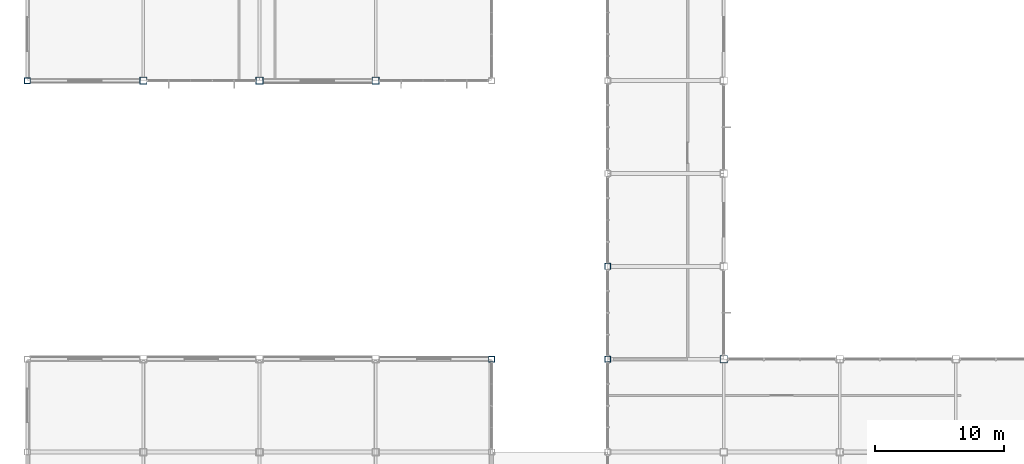
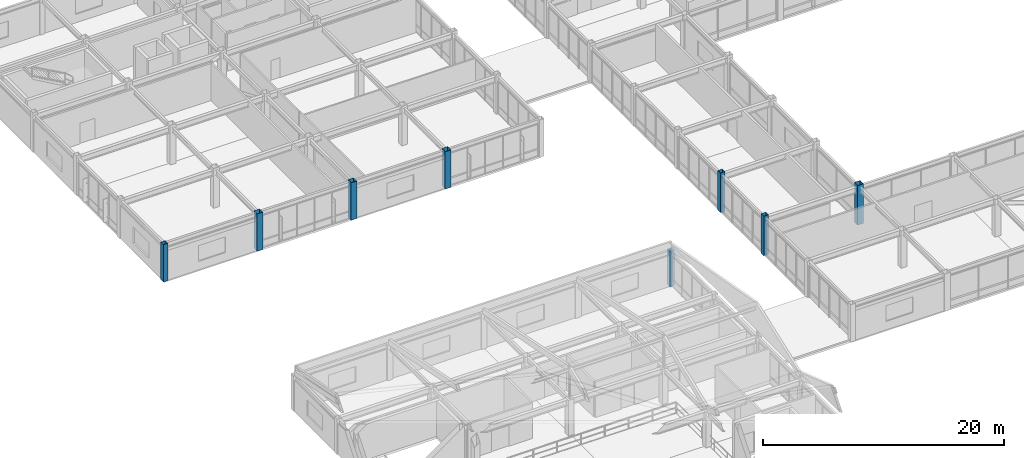
# One storey, part 3 of 113: 8 columns.
"""IFC4 building model written with IfcOpenShell, lengths in metres."""

import ifcopenshell
import ifcopenshell.guid

model = None  # the IFC model being written
_history = None  # IfcOwnerHistory: only IFC2X3 demands one
_inside = {}  # id of a spatial element -> (the spatial element, [elements in it])
_under = {}  # id of a project, library or spatial element -> (it, [spatial elements below it])
_declared = {}  # id of a project -> (the project, [libraries it declares])
_typed = {}  # id of a type object -> (the type object, [elements of that type])
_made_of = {}  # id of a material, layer set ... -> (it, [elements and type objects made of it])


def new_model(schema):
    """Start an empty IFC model of exactly this schema.

    Asked for "IFC4X3", IfcOpenShell would pick the latest addendum, in which some entities
    have other attributes; the version numbers below select the first issue.
    IFC2X3 requires an IfcOwnerHistory on every rooted entity: one is made here for all.
    """
    global model, _history
    if schema == "IFC4X3":
        model = ifcopenshell.file(schema_version=(4, 3, 0, 0))
    else:
        model = ifcopenshell.file(schema=schema)
    _inside.clear()
    _under.clear()
    _declared.clear()
    _typed.clear()
    _made_of.clear()
    _history = None
    if model.schema == "IFC2X3":
        org = make("IfcOrganization", Name="unknown")
        user = make(
            "IfcPersonAndOrganization",
            ThePerson=make("IfcPerson", FamilyName="unknown"),
            TheOrganization=org,
        )
        app = make(
            "IfcApplication",
            ApplicationDeveloper=org,
            Version="unknown",
            ApplicationFullName="unknown",
            ApplicationIdentifier="unknown",
        )
        _history = make(
            "IfcOwnerHistory",
            OwningUser=user,
            OwningApplication=app,
            ChangeAction="ADDED",
            CreationDate=0,
        )
    return model


def make(cls, **values):
    """One entity of the class cls with the attributes given. An attribute that is None is left unset."""
    return model.create_entity(
        cls, **{name: value for name, value in values.items() if value is not None}
    )


def rooted(cls, **values):
    """An entity with a GlobalId (a new one), such as an element, a storey or a relation."""
    return make(cls, GlobalId=ifcopenshell.guid.new(), OwnerHistory=_history, **values)


def si_unit(unit_type, name, prefix=None):
    """IfcSIUnit, for example si_unit("LENGTHUNIT", "METRE", prefix="MILLI")."""
    return make("IfcSIUnit", UnitType=unit_type, Prefix=prefix, Name=name)


def assignment(units):
    """IfcUnitAssignment: the units of a project."""
    return None if units is None else make("IfcUnitAssignment", Units=units)


def point(xyz):
    """IfcCartesianPoint."""
    return None if xyz is None else make("IfcCartesianPoint", Coordinates=xyz)


def direction(xyz):
    """IfcDirection."""
    return None if xyz is None else make("IfcDirection", DirectionRatios=xyz)


def frame(location, z_axis=None, x_axis=None):
    """IfcAxis2Placement3D, a coordinate frame: its origin and axes. An axis left out is left unset."""
    return make(
        "IfcAxis2Placement3D",
        Location=point(location),
        Axis=direction(z_axis),
        RefDirection=direction(x_axis),
    )


def frame_2d(location, x_axis=None):
    """IfcAxis2Placement2D, a coordinate frame in the plane: its origin and x axis."""
    return make(
        "IfcAxis2Placement2D", Location=point(location), RefDirection=direction(x_axis)
    )


def origin():
    """The frame at (0, 0, 0) with its axes left unset."""
    return frame((0.0, 0.0, 0.0))


def origin_2d():
    """The frame at (0, 0) in the plane with its x axis left unset."""
    return frame_2d((0.0, 0.0))


def place(relative_to, where):
    """IfcLocalPlacement: puts the frame where relative to a parent placement (None: the world)."""
    return make(
        "IfcLocalPlacement", PlacementRelTo=relative_to, RelativePlacement=where
    )


def context(
    kind, dimensions, precision=None, world=None, true_north=None, identifier=None
):
    """IfcGeometricRepresentationContext, for example the 3D "Model" context."""
    return make(
        "IfcGeometricRepresentationContext",
        ContextIdentifier=identifier,
        ContextType=kind,
        CoordinateSpaceDimension=dimensions,
        Precision=precision,
        WorldCoordinateSystem=world,
        TrueNorth=true_north,
    )


def subcontext(parent, identifier, kind, view, scale=None):
    """IfcGeometricRepresentationSubContext, for example "Body" below "Model"."""
    return make(
        "IfcGeometricRepresentationSubContext",
        ContextIdentifier=identifier,
        ContextType=kind,
        ParentContext=parent,
        TargetScale=scale,
        TargetView=view,
    )


def project(units=None, contexts=None):
    """IfcProject with its units and contexts."""
    return rooted(
        "IfcProject",
        Name="project",
        RepresentationContexts=contexts,
        UnitsInContext=assignment(units),
    )


def spatial(cls, under=None, at=None, **own):
    """A site, building, storey or space (cls), placed at a placement, below another one or the project."""
    s = rooted(cls, ObjectPlacement=at, **own)
    if under is not None:
        _under.setdefault(under.id(), (under, []))[1].append(s)
    return s


def profile(cls, at=None, kind="AREA", **sizes):
    """A parametric profile (cls). Its sizes go by their IFC names, for example OverallWidth=200.0."""
    return make(cls, ProfileType=kind, Position=at, **sizes)


def hollow_rectangle(**sizes):
    """IfcRectangleHollowProfileDef."""
    return profile("IfcRectangleHollowProfileDef", **sizes)


def extrude(swept, where, along, depth):
    """IfcExtrudedAreaSolid: the profile swept, set in the frame where, extruded along a direction by depth."""
    return make(
        "IfcExtrudedAreaSolid",
        SweptArea=swept,
        Position=where,
        ExtrudedDirection=direction(along),
        Depth=depth,
    )


def shape(context_of_items, identifier, shape_type, items):
    """IfcShapeRepresentation: the items that make up one representation, for example the "Body"."""
    return make(
        "IfcShapeRepresentation",
        ContextOfItems=context_of_items,
        RepresentationIdentifier=identifier,
        RepresentationType=shape_type,
        Items=items,
    )


def material(Name=None, Category=None):
    """IfcMaterial."""
    return make("IfcMaterial", Name=Name, Category=Category)


def material_profile(
    of_material, cross_section, Name=None, Category=None, Priority=None
):
    """IfcMaterialProfile: a cross section and its material."""
    return make(
        "IfcMaterialProfile",
        Name=Name,
        Material=of_material,
        Profile=cross_section,
        Priority=Priority,
        Category=Category,
    )


def profile_set(profiles, Name=None, composite=None):
    """IfcMaterialProfileSet."""
    return make(
        "IfcMaterialProfileSet",
        Name=Name,
        MaterialProfiles=profiles,
        CompositeProfile=composite,
    )


def made_of(thing, what):
    """Note that an element or type object is made of a material, layer set ...; save() writes the relation."""
    if what is not None:
        _made_of.setdefault(what.id(), (what, []))[1].append(thing)
    return thing


def type_object(cls, material=None, **own):
    """A type object (cls), such as IfcWallType, which elements share."""
    return made_of(rooted(cls, **own), material)


def element(
    cls,
    number,
    at=None,
    inside=None,
    cuts=None,
    type_object=None,
    material=None,
    context=None,
    identifier="Body",
    shape_type=None,
    held_by="IfcProductDefinitionShape",
    body=None,
    shapes=None,
    **own,
):
    """One element of the class cls, such as IfcWall. Its Tag is "e" and its number.

    at: its placement. inside: the storey or other place that contains it. cuts: it is an
    opening in that element (IfcRelVoidsElement). A single representation is given by context,
    identifier, shape_type and body (its items); several are given by shapes. held_by: the class
    of the entity that holds the representations. save() writes the other relations.
    """
    e = rooted(cls, Tag="e%d" % number, ObjectPlacement=at, **own)
    if body is not None:
        shapes = [shape(context, identifier, shape_type, body)]
    if shapes is not None:
        e.Representation = make(held_by, Representations=shapes)
    if inside is not None:
        _inside.setdefault(inside.id(), (inside, []))[1].append(e)
    if cuts is not None:
        rooted(
            "IfcRelVoidsElement", RelatingBuildingElement=cuts, RelatedOpeningElement=e
        )
    if type_object is not None:
        _typed.setdefault(type_object.id(), (type_object, []))[1].append(e)
    return made_of(e, material)


def aggregate(whole, parts):
    """IfcRelAggregates: a whole, such as a stair, and the parts it consists of."""
    return rooted("IfcRelAggregates", RelatingObject=whole, RelatedObjects=parts)


def save(model, path):
    """Write the relations noted so far, then the file.

    IfcRelAggregates (storeys below a building ...), IfcRelContainedInSpatialStructure (elements
    in a storey), IfcRelDefinesByType, IfcRelAssociatesMaterial and IfcRelDeclares: one each for
    every whole, place, type object, material and project.
    """
    for whole, parts in _under.values():
        aggregate(whole, parts)
    for where, things in _inside.values():
        rooted(
            "IfcRelContainedInSpatialStructure",
            RelatedElements=things,
            RelatingStructure=where,
        )
    for kind, things in _typed.values():
        rooted("IfcRelDefinesByType", RelatedObjects=things, RelatingType=kind)
    for what, things in _made_of.values():
        rooted("IfcRelAssociatesMaterial", RelatedObjects=things, RelatingMaterial=what)
    for by, libraries in _declared.values():
        rooted("IfcRelDeclares", RelatingContext=by, RelatedDefinitions=libraries)
    model.write(path)


model = new_model("IFC4")

# Units and contexts
model_context = context("Model", 3, precision=1e-05, world=origin(), true_north=direction((0.0, 1.0)))
body_context = subcontext(model_context, "Body", "Model", "MODEL_VIEW")
ifc_project = project(units=[si_unit("LENGTHUNIT", "METRE"), si_unit("AREAUNIT", "SQUARE_METRE"), si_unit("VOLUMEUNIT", "CUBIC_METRE"), si_unit("PLANEANGLEUNIT", "RADIAN"), si_unit("MASSUNIT", "GRAM", prefix="KILO")], contexts=[model_context])

# Site, building, storey
site_placement = place(None, origin())
site = spatial("IfcSite", under=ifc_project, at=site_placement, CompositionType="ELEMENT")
building_placement = place(site_placement, origin())
building = spatial("IfcBuilding", under=site, at=building_placement, Name="Kazanami Central Library", CompositionType="ELEMENT")
storey_placement = place(building_placement, frame((0.0, 0.0, 8.800048828125)))
storey = spatial("IfcBuildingStorey", under=building, at=storey_placement, Name="L03", CompositionType="ELEMENT", Elevation=8.800048828125)

# Columns
ifc_material = material(Name="Steel BCP325 (325 MPa)", Category="steel")
ifc_material_profile_1 = material_profile(ifc_material, hollow_rectangle(XDim=0.449951171875, YDim=0.449951171875, WallThickness=0.01904296875, at=origin_2d()), Name="BCP-450x450x19")
ifc_profile_set_1 = profile_set([ifc_material_profile_1], Name="Steel BCP325 (325 MPa)")
column_type_1 = type_object("IfcColumnType", Name="COL-C-P2E", PredefinedType="COLUMN", material=ifc_profile_set_1)
column_1_placement = place(storey_placement, frame((0.0, 57.60009765625, 0.0), z_axis=(0.0, 0.0, 1.0), x_axis=(1.0, 0.0, 0.0)))
element("IfcColumn", 1, at=column_1_placement, inside=storey, type_object=column_type_1, Name="Column C-P2E L03 1/J", PredefinedType="COLUMN", context=body_context, shape_type="SweptSolid", body=[
    extrude(hollow_rectangle(XDim=0.449951171875, YDim=0.449951171875, WallThickness=0.01904296875, at=origin_2d()), origin(), (0.0, 0.0, 1.0), 3.780029296875),
])
column_2_placement = place(storey_placement, frame((36.0, 36.0, 0.0), z_axis=(0.0, 0.0, 1.0), x_axis=(1.0, 0.0, 0.0)))
element("IfcColumn", 2, at=column_2_placement, inside=storey, type_object=column_type_1, Name="Column C-P2E L03 5/F", PredefinedType="COLUMN", context=body_context, shape_type="SweptSolid", body=[
    extrude(hollow_rectangle(XDim=0.449951171875, YDim=0.449951171875, WallThickness=0.01904296875, at=origin_2d()), origin(), (0.0, 0.0, 1.0), 3.579833984375),
])
for number, where, z_axis, x_axis, name in (
    (3, (45.0, 36.0, 0.0), (0.0, 0.0, 1.0), (1.0, 0.0, 0.0), "Column C-P2E L03 6/F"),
    (4, (45.0, 43.199951171875, 0.0), (0.0, 0.0, 1.0), (1.0, 0.0, 0.0), "Column C-P2E L03 6/G"),
):
    element("IfcColumn", number, at=place(storey_placement, frame(where, z_axis=z_axis, x_axis=x_axis)), inside=storey, type_object=column_type_1, Name=name, PredefinedType="COLUMN", context=body_context, shape_type="SweptSolid", body=[
        extrude(hollow_rectangle(XDim=0.449951171875, YDim=0.449951171875, WallThickness=0.01904296875, at=origin_2d()), origin(), (0.0, 0.0, 1.0), 4.0),
    ])
ifc_material_profile_2 = material_profile(ifc_material, hollow_rectangle(XDim=0.550048828125, YDim=0.550048828125, WallThickness=0.02197265625, at=origin_2d()), Name="BCP-550x550x22")
ifc_profile_set_2 = profile_set([ifc_material_profile_2], Name="Steel BCP325 (325 MPa)")
column_type_2 = type_object("IfcColumnType", Name="COL-C-P2I", PredefinedType="COLUMN", material=ifc_profile_set_2)
for number, where, z_axis, x_axis, name in (
    (5, (9.0, 57.60009765625, 0.0), (0.0, 0.0, 1.0), (1.0, 0.0, 0.0), "Column C-P2I L03 2/J"),
    (6, (18.0, 57.60009765625, 0.0), (0.0, 0.0, 1.0), (1.0, 0.0, 0.0), "Column C-P2I L03 3/J"),
    (7, (27.0, 57.60009765625, 0.0), (0.0, 0.0, 1.0), (1.0, 0.0, 0.0), "Column C-P2I L03 4/J"),
):
    element("IfcColumn", number, at=place(storey_placement, frame(where, z_axis=z_axis, x_axis=x_axis)), inside=storey, type_object=column_type_2, Name=name, PredefinedType="COLUMN", context=body_context, shape_type="SweptSolid", body=[
        extrude(hollow_rectangle(XDim=0.550048828125, YDim=0.550048828125, WallThickness=0.02197265625, at=origin_2d()), origin(), (0.0, 0.0, 1.0), 3.780029296875),
    ])
column_3_placement = place(storey_placement, frame((54.0, 36.0, 0.0), z_axis=(0.0, 0.0, 1.0), x_axis=(1.0, 0.0, 0.0)))
element("IfcColumn", 8, at=column_3_placement, inside=storey, type_object=column_type_2, Name="Column C-P2I L03 7/F", PredefinedType="COLUMN", context=body_context, shape_type="SweptSolid", body=[
    extrude(hollow_rectangle(XDim=0.550048828125, YDim=0.550048828125, WallThickness=0.02197265625, at=origin_2d()), origin(), (0.0, 0.0, 1.0), 4.0),
])

save(model, "model.ifc")
